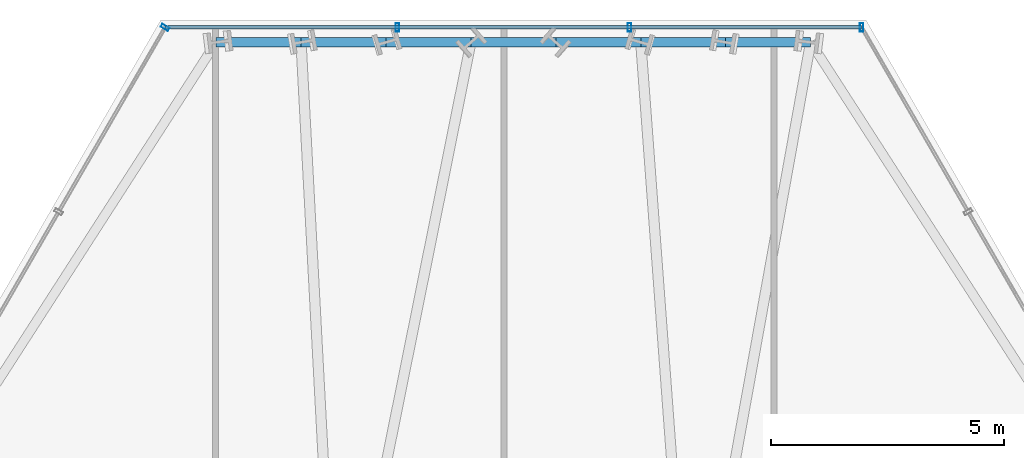
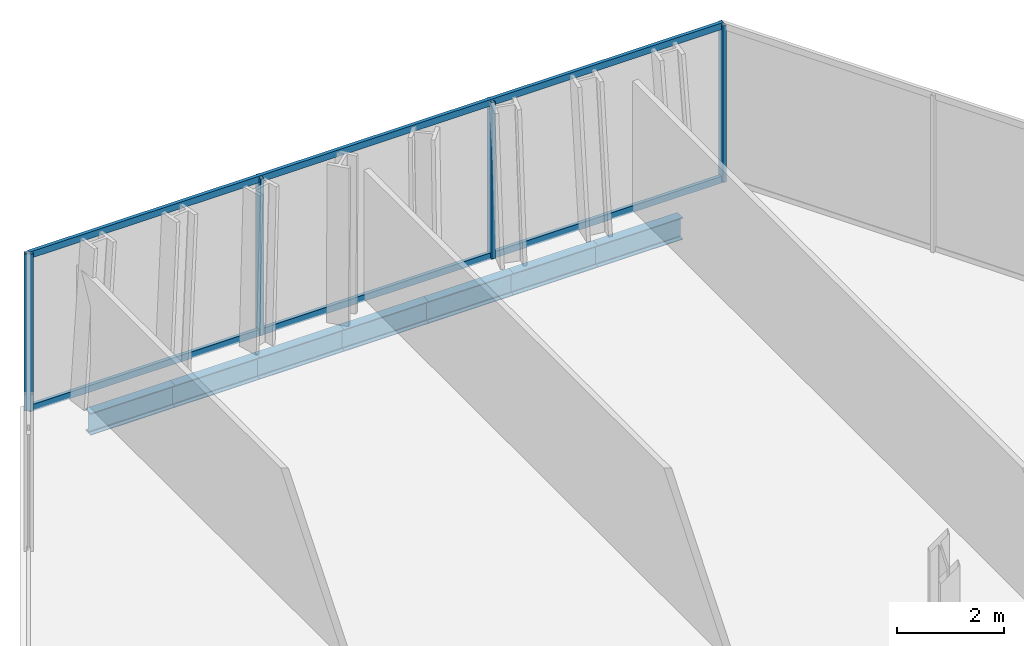
# One storey, part 24 of 32: 7 beams, 6 members, 2 elements without a shape of their own.
"""IFC4 building model written with IfcOpenShell, lengths in metres."""

from ifc_helpers import new_model, si_unit, direction, frame, origin, origin_2d, place, context, subcontext, project, spatial, hollow_rectangle, i_section, extrude, material, layer, layer_set, material_profile, profile_set, type_object, element, aggregate, save


model = new_model("IFC4")

# Units and contexts
model_context = context("Model", 3, precision=1e-05, world=origin(), true_north=direction((0.0, 1.0)))
body_context = subcontext(model_context, "Body", "Model", "MODEL_VIEW")
ifc_project = project(units=[si_unit("LENGTHUNIT", "METRE"), si_unit("AREAUNIT", "SQUARE_METRE"), si_unit("VOLUMEUNIT", "CUBIC_METRE"), si_unit("PLANEANGLEUNIT", "RADIAN"), si_unit("MASSUNIT", "GRAM", prefix="KILO")], contexts=[model_context])

# Site, building, storey
site_placement = place(None, origin())
site = spatial("IfcSite", under=ifc_project, at=site_placement, CompositionType="ELEMENT")
building_placement = place(site_placement, origin())
building = spatial("IfcBuilding", under=site, at=building_placement, Name="Ndaravel Arena Tower", CompositionType="ELEMENT")
storey_placement = place(building_placement, frame((0.0, 0.0, 77.800048828125)))
storey = spatial("IfcBuildingStorey", under=building, at=storey_placement, Name="L17", CompositionType="ELEMENT", Elevation=77.800048828125)

# Beams
ifc_material_1 = material(Name="Steel S355", Category="steel")
ifc_material_profile_1 = material_profile(ifc_material_1, i_section(OverallWidth=0.199951171875, OverallDepth=0.5, WebThickness=0.01025390625, FlangeThickness=0.01611328125, FilletRadius=0.02099609375, at=origin_2d()), Name="IPE 500")
ifc_profile_set_1 = profile_set([ifc_material_profile_1], Name="Steel S355")
beam_type = type_object("IfcBeamType", Name="BM-SPAN-IPE500", PredefinedType="SPANDREL", material=ifc_profile_set_1)
for number, where, z_axis, x_axis, name in (
    (1, (48.38916015625, 45.545654296875, -0.469970703125), (-1.0, 0.0, 0.0), (0.0, -1.0, 0.0), "L17 Perimeter Spandrel Beam SP-11"),
    (2, (46.563720703125, 45.545654296875, -0.469970703125), (-1.0, 0.0, 0.0), (0.0, -1.0, 0.0), "L17 Perimeter Spandrel Beam SP-12"),
):
    element("IfcBeam", number, at=place(storey_placement, frame(where, z_axis=z_axis, x_axis=x_axis)), inside=storey, type_object=beam_type, Name=name, PredefinedType="SPANDREL", context=body_context, shape_type="SweptSolid", body=[
        extrude(i_section(OverallWidth=0.199951171875, OverallDepth=0.5, WebThickness=0.01025390625, FlangeThickness=0.01611328125, FilletRadius=0.02099609375, at=origin_2d()), origin(), (0.0, 0.0, 1.0), 1.825439453125),
    ])
beam_1_placement = place(storey_placement, frame((44.73828125, 45.545654296875, -0.469970703125), z_axis=(-1.0, 0.0, 0.0), x_axis=(0.0, -1.0, 0.0)))
element("IfcBeam", 3, at=beam_1_placement, inside=storey, type_object=beam_type, Name="L17 Perimeter Spandrel Beam SP-13", PredefinedType="SPANDREL", context=body_context, shape_type="SweptSolid", body=[
    extrude(i_section(OverallWidth=0.199951171875, OverallDepth=0.5, WebThickness=0.01025390625, FlangeThickness=0.01611328125, FilletRadius=0.02099609375, at=origin_2d()), origin(), (0.0, 0.0, 1.0), 1.82568359375),
])
beam_2_placement = place(storey_placement, frame((42.91259765625, 45.545654296875, -0.469970703125), z_axis=(-1.0, 0.0, 0.0), x_axis=(0.0, -1.0, 0.0)))
element("IfcBeam", 4, at=beam_2_placement, inside=storey, type_object=beam_type, Name="L17 Perimeter Spandrel Beam SP-14", PredefinedType="SPANDREL", context=body_context, shape_type="SweptSolid", body=[
    extrude(i_section(OverallWidth=0.199951171875, OverallDepth=0.5, WebThickness=0.01025390625, FlangeThickness=0.01611328125, FilletRadius=0.02099609375, at=origin_2d()), origin(), (0.0, 0.0, 1.0), 1.8251953125),
])
beam_3_placement = place(storey_placement, frame((41.08740234375, 45.545654296875, -0.469970703125), z_axis=(-1.0, 0.0, 0.0), x_axis=(0.0, -1.0, 0.0)))
element("IfcBeam", 5, at=beam_3_placement, inside=storey, type_object=beam_type, Name="L17 Perimeter Spandrel Beam SP-15", PredefinedType="SPANDREL", context=body_context, shape_type="SweptSolid", body=[
    extrude(i_section(OverallWidth=0.199951171875, OverallDepth=0.5, WebThickness=0.01025390625, FlangeThickness=0.01611328125, FilletRadius=0.02099609375, at=origin_2d()), origin(), (0.0, 0.0, 1.0), 1.82568359375),
])
for number, where, z_axis, x_axis, name in (
    (6, (39.26171875, 45.545654296875, -0.469970703125), (-1.0, 0.0, 0.0), (0.0, -1.0, 0.0), "L17 Perimeter Spandrel Beam SP-16"),
    (7, (37.436279296875, 45.545654296875, -0.469970703125), (-1.0, 0.0, 0.0), (0.0, -1.0, 0.0), "L17 Perimeter Spandrel Beam SP-17"),
):
    element("IfcBeam", number, at=place(storey_placement, frame(where, z_axis=z_axis, x_axis=x_axis)), inside=storey, type_object=beam_type, Name=name, PredefinedType="SPANDREL", context=body_context, shape_type="SweptSolid", body=[
        extrude(i_section(OverallWidth=0.199951171875, OverallDepth=0.5, WebThickness=0.01025390625, FlangeThickness=0.01611328125, FilletRadius=0.02099609375, at=origin_2d()), origin(), (0.0, 0.0, 1.0), 1.825439453125),
    ])

# Curtain wall, members
ifc_material_2 = material(Name="Aluminium", Category="aluminium")
ifc_layer_1 = layer(ifc_material_2, 0.179931640625)
ifc_layer_set_1 = layer_set([ifc_layer_1], Name="Aluminium")
curtain_wall_type_1 = type_object("IfcCurtainWallType", Name="CW-SYS-01", PredefinedType="NOTDEFINED", material=ifc_layer_set_1)
curtain_wall_1_placement = place(storey_placement, origin())
curtain_wall_1 = element("IfcCurtainWall", 8, at=curtain_wall_1_placement, inside=storey, type_object=curtain_wall_type_1, Name="L17 Faceted Crystal Curtain Wall CW-L17-E04", PredefinedType="NOTDEFINED")
ifc_material_3 = material(Name="Aluminium", Category="aluminium")
ifc_material_profile_2 = material_profile(ifc_material_3, hollow_rectangle(XDim=0.074951171875, YDim=0.179931640625, WallThickness=0.00390625, at=origin_2d()), Name="CW MULLION 75x180x4")
ifc_profile_set_2 = profile_set([ifc_material_profile_2], Name="Aluminium")
member_type_1 = type_object("IfcMemberType", Name="MEM-CW-MUL180", PredefinedType="MULLION", material=ifc_profile_set_2)
member_1_placement = place(storey_placement, frame((49.486572265625, 45.865478515625, 0.0), z_axis=(0.0, 0.0, 1.0), x_axis=(-1.0, 0.0, 0.0)))
member_1 = element("IfcMember", 9, at=member_1_placement, type_object=member_type_1, Name="CW-L17-E04 Mullion 00", PredefinedType="MULLION", context=body_context, shape_type="SweptSolid", body=[
    extrude(hollow_rectangle(XDim=0.074951171875, YDim=0.179931640625, WallThickness=0.00390625, at=origin_2d()), origin(), (0.0, 0.0, 1.0), 3.579833984375),
])
member_2_placement = place(storey_placement, frame((44.49560546875, 45.865478515625, 0.0), z_axis=(0.0, 0.0, 1.0), x_axis=(-1.0, 0.0, 0.0)))
member_2 = element("IfcMember", 10, at=member_2_placement, type_object=member_type_1, Name="CW-L17-E04 Mullion 01", PredefinedType="MULLION", context=body_context, shape_type="SweptSolid", body=[
    extrude(hollow_rectangle(XDim=0.074951171875, YDim=0.179931640625, WallThickness=0.00390625, at=origin_2d()), origin(), (0.0, 0.0, 1.0), 3.579833984375),
])
member_3_placement = place(storey_placement, frame((39.50439453125, 45.865478515625, 0.0), z_axis=(0.0, 0.0, 1.0), x_axis=(-1.0, 0.0, 0.0)))
member_3 = element("IfcMember", 11, at=member_3_placement, type_object=member_type_1, Name="CW-L17-E04 Mullion 02", PredefinedType="MULLION", context=body_context, shape_type="SweptSolid", body=[
    extrude(hollow_rectangle(XDim=0.074951171875, YDim=0.179931640625, WallThickness=0.00390625, at=origin_2d()), origin(), (0.0, 0.0, 1.0), 3.579833984375),
])

# Curtain wall, member
ifc_material_4 = material(Name="Aluminium", Category="aluminium")
ifc_layer_2 = layer(ifc_material_4, 0.179931640625)
ifc_layer_set_2 = layer_set([ifc_layer_2], Name="Aluminium")
curtain_wall_type_2 = type_object("IfcCurtainWallType", Name="CW-SYS-03", PredefinedType="NOTDEFINED", material=ifc_layer_set_2)
curtain_wall_2_placement = place(storey_placement, origin())
curtain_wall_2 = element("IfcCurtainWall", 12, at=curtain_wall_2_placement, inside=storey, type_object=curtain_wall_type_2, Name="L17 Faceted Crystal Curtain Wall CW-L17-E05", PredefinedType="NOTDEFINED")
member_4_placement = place(storey_placement, frame((34.513427734375, 45.865478515625, 0.0), z_axis=(0.0, 0.0, 1.0), x_axis=(-0.5, -0.866025403784, 0.0)))
member_4 = element("IfcMember", 13, at=member_4_placement, type_object=member_type_1, Name="CW-L17-E05 Mullion 00", PredefinedType="MULLION", context=body_context, shape_type="SweptSolid", body=[
    extrude(hollow_rectangle(XDim=0.074951171875, YDim=0.179931640625, WallThickness=0.00390625, at=origin_2d()), origin(), (0.0, 0.0, 1.0), 3.579833984375),
])
aggregate(curtain_wall_2, [member_4])

# Member
ifc_material_5 = material(Name="Aluminium", Category="aluminium")
ifc_material_profile_3 = material_profile(ifc_material_5, hollow_rectangle(XDim=0.074951171875, YDim=0.14990234375, WallThickness=0.00390625, at=origin_2d()), Name="CW TRANSOM 75x150x4")
ifc_profile_set_3 = profile_set([ifc_material_profile_3], Name="Aluminium")
member_type_2 = type_object("IfcMemberType", Name="MEM-CW-TRN150", PredefinedType="USERDEFINED", material=ifc_profile_set_3)
member_5_placement = place(storey_placement, frame((49.486572265625, 45.865478515625, 0.0400390625), z_axis=(-1.0, 0.0, 0.0), x_axis=(0.0, -1.0, 0.0)))
member_5 = element("IfcMember", 14, at=member_5_placement, type_object=member_type_2, Name="CW-L17-E04 Transom 01", ObjectType="TRANSOM", PredefinedType="USERDEFINED", context=body_context, shape_type="SweptSolid", body=[
    extrude(hollow_rectangle(XDim=0.074951171875, YDim=0.14990234375, WallThickness=0.00390625, at=origin_2d()), origin(), (0.0, 0.0, 1.0), 14.97314453125),
])

member_6_placement = place(storey_placement, frame((49.486572265625, 45.865478515625, 3.5400390625), z_axis=(-1.0, 0.0, 0.0), x_axis=(0.0, -1.0, 0.0)))
member_6 = element("IfcMember", 15, at=member_6_placement, type_object=member_type_2, Name="CW-L17-E04 Transom 02", ObjectType="TRANSOM", PredefinedType="USERDEFINED", context=body_context, shape_type="SweptSolid", body=[
    extrude(hollow_rectangle(XDim=0.074951171875, YDim=0.14990234375, WallThickness=0.00390625, at=origin_2d()), origin(), (0.0, 0.0, 1.0), 14.97314453125),
])

aggregate(curtain_wall_1, [member_1, member_2, member_3, member_5, member_6])

save(model, "model.ifc")
